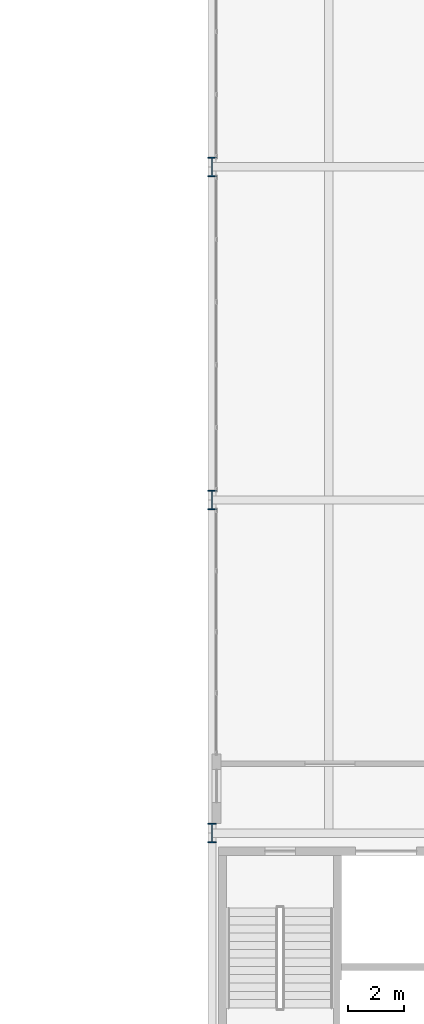
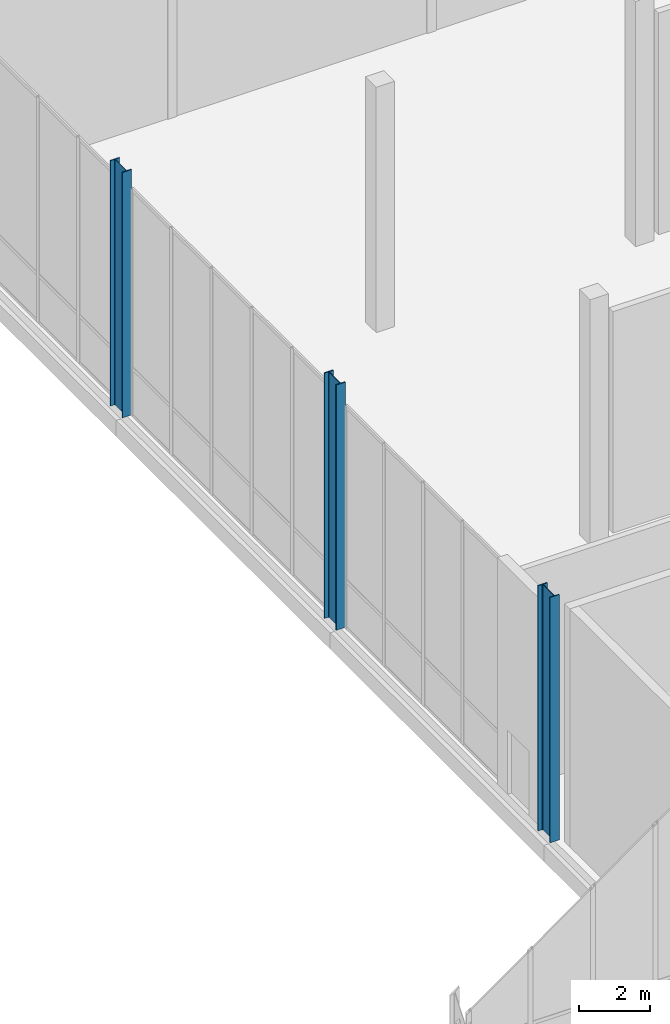
# One storey, part 8 of 131: 3 columns.
"""IFC4 building model written with IfcOpenShell, lengths in metres."""

import ifcopenshell
import ifcopenshell.guid

model = None  # the IFC model being written
_history = None  # IfcOwnerHistory: only IFC2X3 demands one
_inside = {}  # id of a spatial element -> (the spatial element, [elements in it])
_under = {}  # id of a project, library or spatial element -> (it, [spatial elements below it])
_declared = {}  # id of a project -> (the project, [libraries it declares])
_typed = {}  # id of a type object -> (the type object, [elements of that type])
_made_of = {}  # id of a material, layer set ... -> (it, [elements and type objects made of it])


def new_model(schema):
    """Start an empty IFC model of exactly this schema.

    Asked for "IFC4X3", IfcOpenShell would pick the latest addendum, in which some entities
    have other attributes; the version numbers below select the first issue.
    IFC2X3 requires an IfcOwnerHistory on every rooted entity: one is made here for all.
    """
    global model, _history
    if schema == "IFC4X3":
        model = ifcopenshell.file(schema_version=(4, 3, 0, 0))
    else:
        model = ifcopenshell.file(schema=schema)
    _inside.clear()
    _under.clear()
    _declared.clear()
    _typed.clear()
    _made_of.clear()
    _history = None
    if model.schema == "IFC2X3":
        org = make("IfcOrganization", Name="unknown")
        user = make(
            "IfcPersonAndOrganization",
            ThePerson=make("IfcPerson", FamilyName="unknown"),
            TheOrganization=org,
        )
        app = make(
            "IfcApplication",
            ApplicationDeveloper=org,
            Version="unknown",
            ApplicationFullName="unknown",
            ApplicationIdentifier="unknown",
        )
        _history = make(
            "IfcOwnerHistory",
            OwningUser=user,
            OwningApplication=app,
            ChangeAction="ADDED",
            CreationDate=0,
        )
    return model


def make(cls, **values):
    """One entity of the class cls with the attributes given. An attribute that is None is left unset."""
    return model.create_entity(
        cls, **{name: value for name, value in values.items() if value is not None}
    )


def rooted(cls, **values):
    """An entity with a GlobalId (a new one), such as an element, a storey or a relation."""
    return make(cls, GlobalId=ifcopenshell.guid.new(), OwnerHistory=_history, **values)


def si_unit(unit_type, name, prefix=None):
    """IfcSIUnit, for example si_unit("LENGTHUNIT", "METRE", prefix="MILLI")."""
    return make("IfcSIUnit", UnitType=unit_type, Prefix=prefix, Name=name)


def assignment(units):
    """IfcUnitAssignment: the units of a project."""
    return None if units is None else make("IfcUnitAssignment", Units=units)


def point(xyz):
    """IfcCartesianPoint."""
    return None if xyz is None else make("IfcCartesianPoint", Coordinates=xyz)


def direction(xyz):
    """IfcDirection."""
    return None if xyz is None else make("IfcDirection", DirectionRatios=xyz)


def frame(location, z_axis=None, x_axis=None):
    """IfcAxis2Placement3D, a coordinate frame: its origin and axes. An axis left out is left unset."""
    return make(
        "IfcAxis2Placement3D",
        Location=point(location),
        Axis=direction(z_axis),
        RefDirection=direction(x_axis),
    )


def frame_2d(location, x_axis=None):
    """IfcAxis2Placement2D, a coordinate frame in the plane: its origin and x axis."""
    return make(
        "IfcAxis2Placement2D", Location=point(location), RefDirection=direction(x_axis)
    )


def origin():
    """The frame at (0, 0, 0) with its axes left unset."""
    return frame((0.0, 0.0, 0.0))


def origin_2d():
    """The frame at (0, 0) in the plane with its x axis left unset."""
    return frame_2d((0.0, 0.0))


def place(relative_to, where):
    """IfcLocalPlacement: puts the frame where relative to a parent placement (None: the world)."""
    return make(
        "IfcLocalPlacement", PlacementRelTo=relative_to, RelativePlacement=where
    )


def context(
    kind, dimensions, precision=None, world=None, true_north=None, identifier=None
):
    """IfcGeometricRepresentationContext, for example the 3D "Model" context."""
    return make(
        "IfcGeometricRepresentationContext",
        ContextIdentifier=identifier,
        ContextType=kind,
        CoordinateSpaceDimension=dimensions,
        Precision=precision,
        WorldCoordinateSystem=world,
        TrueNorth=true_north,
    )


def subcontext(parent, identifier, kind, view, scale=None):
    """IfcGeometricRepresentationSubContext, for example "Body" below "Model"."""
    return make(
        "IfcGeometricRepresentationSubContext",
        ContextIdentifier=identifier,
        ContextType=kind,
        ParentContext=parent,
        TargetScale=scale,
        TargetView=view,
    )


def project(units=None, contexts=None):
    """IfcProject with its units and contexts."""
    return rooted(
        "IfcProject",
        Name="project",
        RepresentationContexts=contexts,
        UnitsInContext=assignment(units),
    )


def spatial(cls, under=None, at=None, **own):
    """A site, building, storey or space (cls), placed at a placement, below another one or the project."""
    s = rooted(cls, ObjectPlacement=at, **own)
    if under is not None:
        _under.setdefault(under.id(), (under, []))[1].append(s)
    return s


def profile(cls, at=None, kind="AREA", **sizes):
    """A parametric profile (cls). Its sizes go by their IFC names, for example OverallWidth=200.0."""
    return make(cls, ProfileType=kind, Position=at, **sizes)


def i_section(**sizes):
    """IfcIShapeProfileDef."""
    return profile("IfcIShapeProfileDef", **sizes)


def extrude(swept, where, along, depth):
    """IfcExtrudedAreaSolid: the profile swept, set in the frame where, extruded along a direction by depth."""
    return make(
        "IfcExtrudedAreaSolid",
        SweptArea=swept,
        Position=where,
        ExtrudedDirection=direction(along),
        Depth=depth,
    )


def shape(context_of_items, identifier, shape_type, items):
    """IfcShapeRepresentation: the items that make up one representation, for example the "Body"."""
    return make(
        "IfcShapeRepresentation",
        ContextOfItems=context_of_items,
        RepresentationIdentifier=identifier,
        RepresentationType=shape_type,
        Items=items,
    )


def material(Name=None, Category=None):
    """IfcMaterial."""
    return make("IfcMaterial", Name=Name, Category=Category)


def material_profile(
    of_material, cross_section, Name=None, Category=None, Priority=None
):
    """IfcMaterialProfile: a cross section and its material."""
    return make(
        "IfcMaterialProfile",
        Name=Name,
        Material=of_material,
        Profile=cross_section,
        Priority=Priority,
        Category=Category,
    )


def profile_set(profiles, Name=None, composite=None):
    """IfcMaterialProfileSet."""
    return make(
        "IfcMaterialProfileSet",
        Name=Name,
        MaterialProfiles=profiles,
        CompositeProfile=composite,
    )


def made_of(thing, what):
    """Note that an element or type object is made of a material, layer set ...; save() writes the relation."""
    if what is not None:
        _made_of.setdefault(what.id(), (what, []))[1].append(thing)
    return thing


def type_object(cls, material=None, **own):
    """A type object (cls), such as IfcWallType, which elements share."""
    return made_of(rooted(cls, **own), material)


def element(
    cls,
    number,
    at=None,
    inside=None,
    cuts=None,
    type_object=None,
    material=None,
    context=None,
    identifier="Body",
    shape_type=None,
    held_by="IfcProductDefinitionShape",
    body=None,
    shapes=None,
    **own,
):
    """One element of the class cls, such as IfcWall. Its Tag is "e" and its number.

    at: its placement. inside: the storey or other place that contains it. cuts: it is an
    opening in that element (IfcRelVoidsElement). A single representation is given by context,
    identifier, shape_type and body (its items); several are given by shapes. held_by: the class
    of the entity that holds the representations. save() writes the other relations.
    """
    e = rooted(cls, Tag="e%d" % number, ObjectPlacement=at, **own)
    if body is not None:
        shapes = [shape(context, identifier, shape_type, body)]
    if shapes is not None:
        e.Representation = make(held_by, Representations=shapes)
    if inside is not None:
        _inside.setdefault(inside.id(), (inside, []))[1].append(e)
    if cuts is not None:
        rooted(
            "IfcRelVoidsElement", RelatingBuildingElement=cuts, RelatedOpeningElement=e
        )
    if type_object is not None:
        _typed.setdefault(type_object.id(), (type_object, []))[1].append(e)
    return made_of(e, material)


def aggregate(whole, parts):
    """IfcRelAggregates: a whole, such as a stair, and the parts it consists of."""
    return rooted("IfcRelAggregates", RelatingObject=whole, RelatedObjects=parts)


def save(model, path):
    """Write the relations noted so far, then the file.

    IfcRelAggregates (storeys below a building ...), IfcRelContainedInSpatialStructure (elements
    in a storey), IfcRelDefinesByType, IfcRelAssociatesMaterial and IfcRelDeclares: one each for
    every whole, place, type object, material and project.
    """
    for whole, parts in _under.values():
        aggregate(whole, parts)
    for where, things in _inside.values():
        rooted(
            "IfcRelContainedInSpatialStructure",
            RelatedElements=things,
            RelatingStructure=where,
        )
    for kind, things in _typed.values():
        rooted("IfcRelDefinesByType", RelatedObjects=things, RelatingType=kind)
    for what, things in _made_of.values():
        rooted("IfcRelAssociatesMaterial", RelatedObjects=things, RelatingMaterial=what)
    for by, libraries in _declared.values():
        rooted("IfcRelDeclares", RelatingContext=by, RelatedDefinitions=libraries)
    model.write(path)


model = new_model("IFC4")

# Units and contexts
model_context = context("Model", 3, precision=1e-05, world=origin(), true_north=direction((0.0, 1.0)))
body_context = subcontext(model_context, "Body", "Model", "MODEL_VIEW")
ifc_project = project(units=[si_unit("LENGTHUNIT", "METRE"), si_unit("AREAUNIT", "SQUARE_METRE"), si_unit("VOLUMEUNIT", "CUBIC_METRE"), si_unit("PLANEANGLEUNIT", "RADIAN"), si_unit("MASSUNIT", "GRAM", prefix="KILO")], contexts=[model_context])

# Site, building, storey
site_placement = place(None, origin())
site = spatial("IfcSite", under=ifc_project, at=site_placement, CompositionType="ELEMENT")
building_placement = place(site_placement, origin())
building = spatial("IfcBuilding", under=site, at=building_placement, Name="Veltarok Museum of Natural Sciences", CompositionType="ELEMENT")
storey_placement = place(building_placement, origin())
storey = spatial("IfcBuildingStorey", under=building, at=storey_placement, Name="L00", CompositionType="ELEMENT", Elevation=0.0)

# Columns
ifc_material = material(Name="Steel S355J2", Category="steel")
ifc_material_profile = material_profile(ifc_material, i_section(OverallWidth=0.300048828125, OverallDepth=0.699951171875, WebThickness=0.01708984375, FlangeThickness=0.031982421875, FilletRadius=0.027099609375, at=origin_2d()), Name="HEB 700")
ifc_profile_set = profile_set([ifc_material_profile], Name="Steel S355J2")
column_type = type_object("IfcColumnType", Name="Perimeter Steel Column HEB 700", PredefinedType="COLUMN", material=ifc_profile_set)
for number, where, z_axis, x_axis, name in (
    (1, (132.39990234375, 36.0, 0.0), (0.0, 0.0, 1.0), (1.0, 0.0, 0.0), "Column COL-EXT01 L00 16/E"),
    (2, (132.39990234375, 48.0, 0.0), (0.0, 0.0, 1.0), (1.0, 0.0, 0.0), "Column COL-EXT01 L00 16/F"),
    (3, (132.39990234375, 60.0, 0.0), (0.0, 0.0, 1.0), (1.0, 0.0, 0.0), "Column COL-EXT01 L00 16/G"),
):
    element("IfcColumn", number, at=place(storey_placement, frame(where, z_axis=z_axis, x_axis=x_axis)), inside=storey, type_object=column_type, Name=name, PredefinedType="COLUMN", context=body_context, shape_type="SweptSolid", body=[
        extrude(i_section(OverallWidth=0.300048828125, OverallDepth=0.699951171875, WebThickness=0.01708984375, FlangeThickness=0.031982421875, FilletRadius=0.027099609375, at=origin_2d()), origin(), (0.0, 0.0, 1.0), 8.39990234375),
    ])

save(model, "model.ifc")
